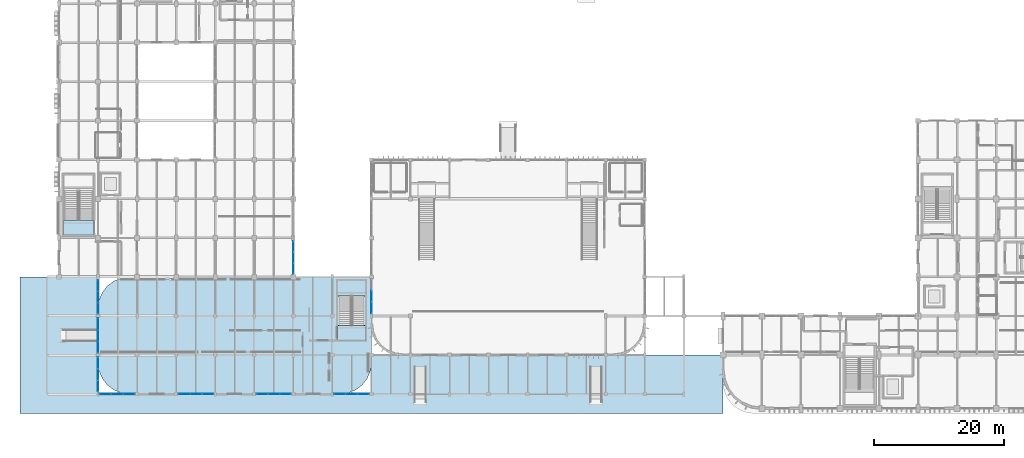
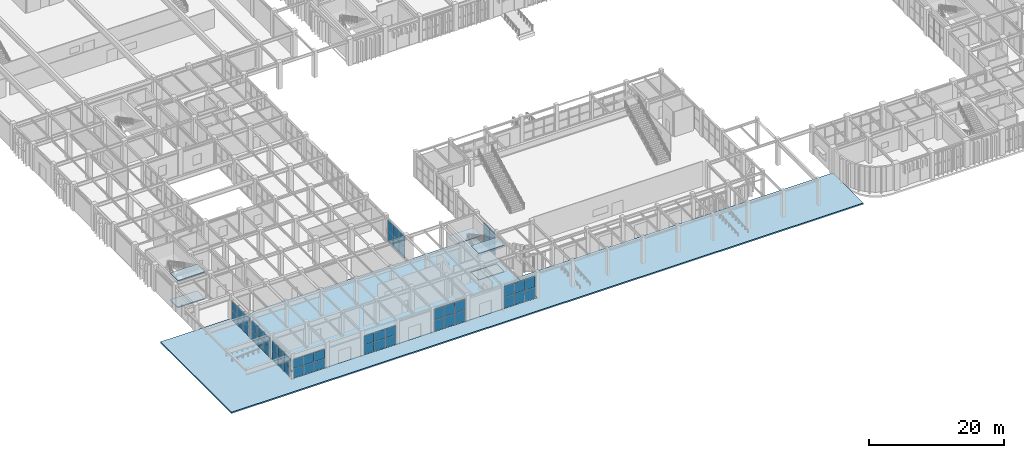
# One storey, part 33 of 76: 52 plates, 7 slabs, 11 elements without a shape of their own.
"""IFC4 building model written with IfcOpenShell, lengths in metres."""

from ifc_helpers import new_model, si_unit, direction, frame, origin, origin_2d, place, context, subcontext, project, spatial, polyline, rectangle, outline, extrude, material, layer, layer_set, type_object, element, aggregate, save


model = new_model("IFC4")

# Units and contexts
model_context = context("Model", 3, precision=1e-05, world=origin(), true_north=direction((0.0, 1.0)))
body_context = subcontext(model_context, "Body", "Model", "MODEL_VIEW")
ifc_project = project(units=[si_unit("LENGTHUNIT", "METRE"), si_unit("AREAUNIT", "SQUARE_METRE"), si_unit("VOLUMEUNIT", "CUBIC_METRE"), si_unit("PLANEANGLEUNIT", "RADIAN"), si_unit("MASSUNIT", "GRAM", prefix="KILO")], contexts=[model_context])

# Site, building, storey
site_placement = place(None, origin())
site = spatial("IfcSite", under=ifc_project, at=site_placement, CompositionType="ELEMENT")
building_placement = place(site_placement, origin())
building = spatial("IfcBuilding", under=site, at=building_placement, Name="Varnakota Square Police Headquarters", CompositionType="ELEMENT")
storey_placement = place(building_placement, origin())
storey = spatial("IfcBuildingStorey", under=building, at=storey_placement, Name="L00", CompositionType="ELEMENT", Elevation=0.0)

# Curtain wall, plates
ifc_material_1 = material(Name="Anodised Aluminium Framing", Category="aluminium")
curtain_wall_type_1 = type_object("IfcCurtainWallType", Name="CW-SYS-A", PredefinedType="NOTDEFINED", material=ifc_material_1)
curtain_wall_1_placement = place(storey_placement, origin())
curtain_wall_1 = element("IfcCurtainWall", 1, at=curtain_wall_1_placement, inside=storey, type_object=curtain_wall_type_1, Name="Unitised curtain wall CWG-L00-035", PredefinedType="NOTDEFINED")
ifc_material_2 = material(Name="Solar-Control Laminated Double Glazing", Category="glass")
ifc_layer_1 = layer(ifc_material_2, 0.028076171875, Name="Solar-Control Laminated Double Glazing")
ifc_layer_set_1 = layer_set([ifc_layer_1], Name="Solar-Control Laminated Double Glazing")
plate_type_1 = type_object("IfcPlateType", Name="CWP-GLZ-28", PredefinedType="CURTAIN_PANEL", material=ifc_layer_set_1)
plate_1_placement = place(storey_placement, frame((13.13623046875, 3.0, 0.06494140625), z_axis=(0.0, 0.0, 1.0), x_axis=(1.0, 0.0, 0.0)))
plate_1 = element("IfcPlate", 2, at=plate_1_placement, type_object=plate_type_1, Name="CWG-L00-035 panel 1.1", PredefinedType="CURTAIN_PANEL", context=body_context, shape_type="SweptSolid", body=[
    extrude(rectangle(XDim=1.732421875, YDim=0.028076171875, at=origin_2d()), origin(), (0.0, 0.0, 1.0), 1.6474609375),
])
plate_2_placement = place(storey_placement, frame((14.949951171875, 3.0, 0.06494140625), z_axis=(0.0, 0.0, 1.0), x_axis=(1.0, 0.0, 0.0)))
plate_2 = element("IfcPlate", 3, at=plate_2_placement, type_object=plate_type_1, Name="CWG-L00-035 panel 2.1", PredefinedType="CURTAIN_PANEL", context=body_context, shape_type="SweptSolid", body=[
    extrude(rectangle(XDim=1.764892578125, YDim=0.028076171875, at=origin_2d()), origin(), (0.0, 0.0, 1.0), 1.6474609375),
])
plate_3_placement = place(storey_placement, frame((16.763671875, 3.0, 0.06494140625), z_axis=(0.0, 0.0, 1.0), x_axis=(1.0, 0.0, 0.0)))
plate_3 = element("IfcPlate", 4, at=plate_3_placement, type_object=plate_type_1, Name="CWG-L00-035 panel 3.1", PredefinedType="CURTAIN_PANEL", context=body_context, shape_type="SweptSolid", body=[
    extrude(rectangle(XDim=1.732421875, YDim=0.028076171875, at=origin_2d()), origin(), (0.0, 0.0, 1.0), 1.6474609375),
])

curtain_wall_2_placement = place(storey_placement, origin())
curtain_wall_2 = element("IfcCurtainWall", 5, at=curtain_wall_2_placement, inside=storey, type_object=curtain_wall_type_1, Name="Unitised curtain wall CWG-L00-039", PredefinedType="NOTDEFINED")
plate_4_placement = place(storey_placement, frame((12.0, 4.26123046875, 0.06494140625), z_axis=(0.0, 0.0, 1.0), x_axis=(0.0, 1.0, 0.0)))
plate_4 = element("IfcPlate", 6, at=plate_4_placement, type_object=plate_type_1, Name="CWG-L00-039 panel 1.1", PredefinedType="CURTAIN_PANEL", context=body_context, shape_type="SweptSolid", body=[
    extrude(rectangle(XDim=1.6826171875, YDim=0.028076171875, at=origin_2d()), origin(), (0.0, 0.0, 1.0), 1.6474609375),
])
plate_5_placement = place(storey_placement, frame((12.0, 6.02490234375, 0.06494140625), z_axis=(0.0, 0.0, 1.0), x_axis=(0.0, 1.0, 0.0)))
plate_5 = element("IfcPlate", 7, at=plate_5_placement, type_object=plate_type_1, Name="CWG-L00-039 panel 2.1", PredefinedType="CURTAIN_PANEL", context=body_context, shape_type="SweptSolid", body=[
    extrude(rectangle(XDim=1.715087890625, YDim=0.028076171875, at=origin_2d()), origin(), (0.0, 0.0, 1.0), 1.6474609375),
])
plate_6_placement = place(storey_placement, frame((12.0, 7.788818359375, 0.06494140625), z_axis=(0.0, 0.0, 1.0), x_axis=(0.0, 1.0, 0.0)))
plate_6 = element("IfcPlate", 8, at=plate_6_placement, type_object=plate_type_1, Name="CWG-L00-039 panel 3.1", PredefinedType="CURTAIN_PANEL", context=body_context, shape_type="SweptSolid", body=[
    extrude(rectangle(XDim=1.6826171875, YDim=0.028076171875, at=origin_2d()), origin(), (0.0, 0.0, 1.0), 1.6474609375),
])

curtain_wall_type_2 = type_object("IfcCurtainWallType", Name="CW-SYS-D", PredefinedType="NOTDEFINED", material=ifc_material_1)
curtain_wall_3_placement = place(storey_placement, origin())
curtain_wall_3 = element("IfcCurtainWall", 9, at=curtain_wall_3_placement, inside=storey, type_object=curtain_wall_type_2, Name="Unitised curtain wall CWG-L00-127", PredefinedType="NOTDEFINED")
plate_7_placement = place(storey_placement, frame((42.0, 22.263671875, 0.074951171875), z_axis=(0.0, 0.0, 1.0), x_axis=(0.0, 1.0, 0.0)))
plate_7 = element("IfcPlate", 10, at=plate_7_placement, type_object=plate_type_1, Name="CWG-L00-127 panel 1.1", PredefinedType="CURTAIN_PANEL", context=body_context, shape_type="SweptSolid", body=[
    extrude(rectangle(XDim=1.617431640625, YDim=0.028076171875, at=origin_2d()), origin(), (0.0, 0.0, 1.0), 1.970703125),
])
plate_8_placement = place(storey_placement, frame((42.0, 23.97509765625, 0.074951171875), z_axis=(0.0, 0.0, 1.0), x_axis=(0.0, 1.0, 0.0)))
plate_8 = element("IfcPlate", 11, at=plate_8_placement, type_object=plate_type_1, Name="CWG-L00-127 panel 2.1", PredefinedType="CURTAIN_PANEL", context=body_context, shape_type="SweptSolid", body=[
    extrude(rectangle(XDim=1.655029296875, YDim=0.028076171875, at=origin_2d()), origin(), (0.0, 0.0, 1.0), 1.970703125),
])
plate_9_placement = place(storey_placement, frame((42.0, 25.686279296875, 0.074951171875), z_axis=(0.0, 0.0, 1.0), x_axis=(0.0, 1.0, 0.0)))
plate_9 = element("IfcPlate", 12, at=plate_9_placement, type_object=plate_type_1, Name="CWG-L00-127 panel 3.1", PredefinedType="CURTAIN_PANEL", context=body_context, shape_type="SweptSolid", body=[
    extrude(rectangle(XDim=1.617431640625, YDim=0.028076171875, at=origin_2d()), origin(), (0.0, 0.0, 1.0), 1.970703125),
])

curtain_wall_4_placement = place(storey_placement, origin())
curtain_wall_4 = element("IfcCurtainWall", 13, at=curtain_wall_4_placement, inside=storey, type_object=curtain_wall_type_1, Name="Unitised curtain wall CWG-L00-008", PredefinedType="NOTDEFINED")
ifc_material_3 = material(Name="Acoustic Laminated Double Glazing", Category="glass")
ifc_layer_2 = layer(ifc_material_3, 0.031982421875, Name="Acoustic Laminated Double Glazing")
ifc_layer_set_2 = layer_set([ifc_layer_2], Name="Acoustic Laminated Double Glazing")
plate_type_2 = type_object("IfcPlateType", Name="CWP-GLZ-32", PredefinedType="CURTAIN_PANEL", material=ifc_layer_set_2)
plate_10_placement = place(storey_placement, frame((54.0, 16.263671875, 0.074951171875), z_axis=(0.0, 0.0, 1.0), x_axis=(0.0, 1.0, 0.0)))
plate_10 = element("IfcPlate", 14, at=plate_10_placement, type_object=plate_type_2, Name="CWG-L00-008 panel 1.1", PredefinedType="CURTAIN_PANEL", context=body_context, shape_type="SweptSolid", body=[
    extrude(rectangle(XDim=1.66748046875, YDim=0.031982421875, at=origin_2d()), origin(), (0.0, 0.0, 1.0), 1.92919921875),
])
plate_11_placement = place(storey_placement, frame((54.0, 18.02490234375, 0.074951171875), z_axis=(0.0, 0.0, 1.0), x_axis=(0.0, 1.0, 0.0)))
plate_11 = element("IfcPlate", 15, at=plate_11_placement, type_object=plate_type_2, Name="CWG-L00-008 panel 2.1", PredefinedType="CURTAIN_PANEL", context=body_context, shape_type="SweptSolid", body=[
    extrude(rectangle(XDim=1.705078125, YDim=0.031982421875, at=origin_2d()), origin(), (0.0, 0.0, 1.0), 1.92919921875),
])

curtain_wall_5_placement = place(storey_placement, origin())
curtain_wall_5 = element("IfcCurtainWall", 16, at=curtain_wall_5_placement, inside=storey, type_object=curtain_wall_type_1, Name="Unitised curtain wall CWG-L00-036", PredefinedType="NOTDEFINED")
plate_12_placement = place(storey_placement, frame((25.236328125, 3.0, 0.06494140625), z_axis=(0.0, 0.0, 1.0), x_axis=(1.0, 0.0, 0.0)))
plate_12 = element("IfcPlate", 17, at=plate_12_placement, type_object=plate_type_2, Name="CWG-L00-036 panel 1.1", PredefinedType="CURTAIN_PANEL", context=body_context, shape_type="SweptSolid", body=[
    extrude(rectangle(XDim=1.732421875, YDim=0.031982421875, at=origin_2d()), origin(), (0.0, 0.0, 1.0), 1.6474609375),
])
plate_13_placement = place(storey_placement, frame((27.050048828125, 3.0, 0.06494140625), z_axis=(0.0, 0.0, 1.0), x_axis=(1.0, 0.0, 0.0)))
plate_13 = element("IfcPlate", 18, at=plate_13_placement, type_object=plate_type_2, Name="CWG-L00-036 panel 2.1", PredefinedType="CURTAIN_PANEL", context=body_context, shape_type="SweptSolid", body=[
    extrude(rectangle(XDim=1.764892578125, YDim=0.031982421875, at=origin_2d()), origin(), (0.0, 0.0, 1.0), 1.6474609375),
])
plate_14_placement = place(storey_placement, frame((28.86376953125, 3.0, 0.06494140625), z_axis=(0.0, 0.0, 1.0), x_axis=(1.0, 0.0, 0.0)))
plate_14 = element("IfcPlate", 19, at=plate_14_placement, type_object=plate_type_2, Name="CWG-L00-036 panel 3.1", PredefinedType="CURTAIN_PANEL", context=body_context, shape_type="SweptSolid", body=[
    extrude(rectangle(XDim=1.732421875, YDim=0.031982421875, at=origin_2d()), origin(), (0.0, 0.0, 1.0), 1.6474609375),
])

curtain_wall_6_placement = place(storey_placement, origin())
curtain_wall_6 = element("IfcCurtainWall", 20, at=curtain_wall_6_placement, inside=storey, type_object=curtain_wall_type_1, Name="Unitised curtain wall CWG-L00-040", PredefinedType="NOTDEFINED")
plate_15_placement = place(storey_placement, frame((12.0, 10.219482421875, 0.06494140625), z_axis=(0.0, 0.0, 1.0), x_axis=(0.0, 1.0, 0.0)))
plate_15 = element("IfcPlate", 21, at=plate_15_placement, type_object=plate_type_2, Name="CWG-L00-040 panel 1.1", PredefinedType="CURTAIN_PANEL", context=body_context, shape_type="SweptSolid", body=[
    extrude(rectangle(XDim=1.69921875, YDim=0.031982421875, at=origin_2d()), origin(), (0.0, 0.0, 1.0), 1.6474609375),
])
plate_16_placement = place(storey_placement, frame((12.0, 12.0, 0.06494140625), z_axis=(0.0, 0.0, 1.0), x_axis=(0.0, 1.0, 0.0)))
plate_16 = element("IfcPlate", 22, at=plate_16_placement, type_object=plate_type_2, Name="CWG-L00-040 panel 2.1", PredefinedType="CURTAIN_PANEL", context=body_context, shape_type="SweptSolid", body=[
    extrude(rectangle(XDim=1.731689453125, YDim=0.031982421875, at=origin_2d()), origin(), (0.0, 0.0, 1.0), 1.6474609375),
])
plate_17_placement = place(storey_placement, frame((12.0, 13.780517578125, 0.06494140625), z_axis=(0.0, 0.0, 1.0), x_axis=(0.0, 1.0, 0.0)))
plate_17 = element("IfcPlate", 23, at=plate_17_placement, type_object=plate_type_2, Name="CWG-L00-040 panel 3.1", PredefinedType="CURTAIN_PANEL", context=body_context, shape_type="SweptSolid", body=[
    extrude(rectangle(XDim=1.69921875, YDim=0.031982421875, at=origin_2d()), origin(), (0.0, 0.0, 1.0), 1.6474609375),
])

curtain_wall_7_placement = place(storey_placement, origin())
curtain_wall_7 = element("IfcCurtainWall", 24, at=curtain_wall_7_placement, inside=storey, type_object=curtain_wall_type_1, Name="Unitised curtain wall CWG-L00-037", PredefinedType="NOTDEFINED")
ifc_material_4 = material(Name="Blast-Resistant Laminated Glazing", Category="glass")
ifc_layer_3 = layer(ifc_material_4, 0.035888671875, Name="Blast-Resistant Laminated Glazing")
ifc_layer_set_3 = layer_set([ifc_layer_3], Name="Blast-Resistant Laminated Glazing")
plate_type_3 = type_object("IfcPlateType", Name="CWP-GLZ-36", PredefinedType="CURTAIN_PANEL", material=ifc_layer_set_3)
plate_18_placement = place(storey_placement, frame((37.22216796875, 3.0, 0.074951171875), z_axis=(0.0, 0.0, 1.0), x_axis=(1.0, 0.0, 0.0)))
plate_18 = element("IfcPlate", 25, at=plate_18_placement, type_object=plate_type_3, Name="CWG-L00-037 panel 1.1", PredefinedType="CURTAIN_PANEL", context=body_context, shape_type="SweptSolid", body=[
    extrude(rectangle(XDim=1.68408203125, YDim=0.035888671875, at=origin_2d()), origin(), (0.0, 0.0, 1.0), 1.95751953125),
])
plate_19_placement = place(storey_placement, frame((39.0, 3.0, 0.074951171875), z_axis=(0.0, 0.0, 1.0), x_axis=(1.0, 0.0, 0.0)))
plate_19 = element("IfcPlate", 26, at=plate_19_placement, type_object=plate_type_3, Name="CWG-L00-037 panel 2.1", PredefinedType="CURTAIN_PANEL", context=body_context, shape_type="SweptSolid", body=[
    extrude(rectangle(XDim=1.7216796875, YDim=0.035888671875, at=origin_2d()), origin(), (0.0, 0.0, 1.0), 1.95751953125),
])
plate_20_placement = place(storey_placement, frame((40.77783203125, 3.0, 0.074951171875), z_axis=(0.0, 0.0, 1.0), x_axis=(1.0, 0.0, 0.0)))
plate_20 = element("IfcPlate", 27, at=plate_20_placement, type_object=plate_type_3, Name="CWG-L00-037 panel 3.1", PredefinedType="CURTAIN_PANEL", context=body_context, shape_type="SweptSolid", body=[
    extrude(rectangle(XDim=1.68408203125, YDim=0.035888671875, at=origin_2d()), origin(), (0.0, 0.0, 1.0), 1.95751953125),
])

curtain_wall_8_placement = place(storey_placement, origin())
curtain_wall_8 = element("IfcCurtainWall", 28, at=curtain_wall_8_placement, inside=storey, type_object=curtain_wall_type_1, Name="Unitised curtain wall CWG-L00-041", PredefinedType="NOTDEFINED")
plate_21_placement = place(storey_placement, frame((12.0, 16.19873046875, 0.06494140625), z_axis=(0.0, 0.0, 1.0), x_axis=(0.0, 1.0, 0.0)))
plate_21 = element("IfcPlate", 29, at=plate_21_placement, type_object=plate_type_3, Name="CWG-L00-041 panel 1.1", PredefinedType="CURTAIN_PANEL", context=body_context, shape_type="SweptSolid", body=[
    extrude(rectangle(XDim=1.657470703125, YDim=0.035888671875, at=origin_2d()), origin(), (0.0, 0.0, 1.0), 1.6474609375),
])
plate_22_placement = place(storey_placement, frame((12.0, 17.9375, 0.06494140625), z_axis=(0.0, 0.0, 1.0), x_axis=(0.0, 1.0, 0.0)))
plate_22 = element("IfcPlate", 30, at=plate_22_placement, type_object=plate_type_3, Name="CWG-L00-041 panel 2.1", PredefinedType="CURTAIN_PANEL", context=body_context, shape_type="SweptSolid", body=[
    extrude(rectangle(XDim=1.68994140625, YDim=0.035888671875, at=origin_2d()), origin(), (0.0, 0.0, 1.0), 1.6474609375),
])
plate_23_placement = place(storey_placement, frame((12.0, 19.67626953125, 0.06494140625), z_axis=(0.0, 0.0, 1.0), x_axis=(0.0, 1.0, 0.0)))
plate_23 = element("IfcPlate", 31, at=plate_23_placement, type_object=plate_type_3, Name="CWG-L00-041 panel 3.1", PredefinedType="CURTAIN_PANEL", context=body_context, shape_type="SweptSolid", body=[
    extrude(rectangle(XDim=1.657470703125, YDim=0.035888671875, at=origin_2d()), origin(), (0.0, 0.0, 1.0), 1.6474609375),
])

curtain_wall_9_placement = place(storey_placement, origin())
curtain_wall_9 = element("IfcCurtainWall", 32, at=curtain_wall_9_placement, inside=storey, type_object=curtain_wall_type_1, Name="Unitised curtain wall CWG-L00-038", PredefinedType="NOTDEFINED")
ifc_material_5 = material(Name="Triple-Glazed Clean-Lab Vision Unit", Category="aluminium")
ifc_layer_4 = layer(ifc_material_5, 0.0419921875, Name="Triple-Glazed Clean-Lab Vision Unit")
ifc_layer_set_4 = layer_set([ifc_layer_4], Name="Triple-Glazed Clean-Lab Vision Unit")
plate_type_4 = type_object("IfcPlateType", Name="CWP-GLZ-42", PredefinedType="CURTAIN_PANEL", material=ifc_layer_set_4)
plate_24_placement = place(storey_placement, frame((49.138671875, 3.0, 0.074951171875), z_axis=(0.0, 0.0, 1.0), x_axis=(1.0, 0.0, 0.0)))
plate_24 = element("IfcPlate", 33, at=plate_24_placement, type_object=plate_type_4, Name="CWG-L00-038 panel 1.1", PredefinedType="CURTAIN_PANEL", context=body_context, shape_type="SweptSolid", body=[
    extrude(rectangle(XDim=1.717529296875, YDim=0.0419921875, at=origin_2d()), origin(), (0.0, 0.0, 1.0), 1.9326171875),
])
plate_25_placement = place(storey_placement, frame((50.949951171875, 3.0, 0.074951171875), z_axis=(0.0, 0.0, 1.0), x_axis=(1.0, 0.0, 0.0)))
plate_25 = element("IfcPlate", 34, at=plate_25_placement, type_object=plate_type_4, Name="CWG-L00-038 panel 2.1", PredefinedType="CURTAIN_PANEL", context=body_context, shape_type="SweptSolid", body=[
    extrude(rectangle(XDim=1.7548828125, YDim=0.0419921875, at=origin_2d()), origin(), (0.0, 0.0, 1.0), 1.9326171875),
])
plate_26_placement = place(storey_placement, frame((52.76123046875, 3.0, 0.074951171875), z_axis=(0.0, 0.0, 1.0), x_axis=(1.0, 0.0, 0.0)))
plate_26 = element("IfcPlate", 35, at=plate_26_placement, type_object=plate_type_4, Name="CWG-L00-038 panel 3.1", PredefinedType="CURTAIN_PANEL", context=body_context, shape_type="SweptSolid", body=[
    extrude(rectangle(XDim=1.717529296875, YDim=0.0419921875, at=origin_2d()), origin(), (0.0, 0.0, 1.0), 1.9326171875),
])

# Plate
ifc_material_6 = material(Name="Insulated Anodised Aluminium Spandrel Panel", Category="aluminium")
ifc_layer_5 = layer(ifc_material_6, 0.050048828125, Name="Insulated Anodised Aluminium Spandrel Panel")
ifc_layer_set_5 = layer_set([ifc_layer_5], Name="Insulated Anodised Aluminium Spandrel Panel")
plate_type_5 = type_object("IfcPlateType", Name="CWP-SPN-50", PredefinedType="CURTAIN_PANEL", material=ifc_layer_set_5)
plate_27_placement = place(storey_placement, frame((13.13623046875, 3.0, 1.777587890625), z_axis=(0.0, 0.0, 1.0), x_axis=(1.0, 0.0, 0.0)))
plate_27 = element("IfcPlate", 36, at=plate_27_placement, type_object=plate_type_5, Name="CWG-L00-035 panel 1.2", PredefinedType="CURTAIN_PANEL", context=body_context, shape_type="SweptSolid", body=[
    extrude(rectangle(XDim=1.732421875, YDim=0.050048828125, at=origin_2d()), origin(), (0.0, 0.0, 1.0), 1.6474609375),
])

plate_28_placement = place(storey_placement, frame((14.949951171875, 3.0, 1.777587890625), z_axis=(0.0, 0.0, 1.0), x_axis=(1.0, 0.0, 0.0)))
plate_28 = element("IfcPlate", 37, at=plate_28_placement, type_object=plate_type_5, Name="CWG-L00-035 panel 2.2", PredefinedType="CURTAIN_PANEL", context=body_context, shape_type="SweptSolid", body=[
    extrude(rectangle(XDim=1.764892578125, YDim=0.050048828125, at=origin_2d()), origin(), (0.0, 0.0, 1.0), 1.6474609375),
])

plate_29_placement = place(storey_placement, frame((16.763671875, 3.0, 1.777587890625), z_axis=(0.0, 0.0, 1.0), x_axis=(1.0, 0.0, 0.0)))
plate_29 = element("IfcPlate", 38, at=plate_29_placement, type_object=plate_type_5, Name="CWG-L00-035 panel 3.2", PredefinedType="CURTAIN_PANEL", context=body_context, shape_type="SweptSolid", body=[
    extrude(rectangle(XDim=1.732421875, YDim=0.050048828125, at=origin_2d()), origin(), (0.0, 0.0, 1.0), 1.6474609375),
])

aggregate(curtain_wall_1, [plate_1, plate_27, plate_2, plate_28, plate_3, plate_29])

plate_30_placement = place(storey_placement, frame((37.22216796875, 3.0, 2.107421875), z_axis=(0.0, 0.0, 1.0), x_axis=(1.0, 0.0, 0.0)))
plate_30 = element("IfcPlate", 39, at=plate_30_placement, type_object=plate_type_5, Name="CWG-L00-037 panel 1.2", PredefinedType="CURTAIN_PANEL", context=body_context, shape_type="SweptSolid", body=[
    extrude(rectangle(XDim=1.68408203125, YDim=0.050048828125, at=origin_2d()), origin(), (0.0, 0.0, 1.0), 1.95751953125),
])

plate_31_placement = place(storey_placement, frame((39.0, 3.0, 2.107421875), z_axis=(0.0, 0.0, 1.0), x_axis=(1.0, 0.0, 0.0)))
plate_31 = element("IfcPlate", 40, at=plate_31_placement, type_object=plate_type_5, Name="CWG-L00-037 panel 2.2", PredefinedType="CURTAIN_PANEL", context=body_context, shape_type="SweptSolid", body=[
    extrude(rectangle(XDim=1.7216796875, YDim=0.050048828125, at=origin_2d()), origin(), (0.0, 0.0, 1.0), 1.95751953125),
])

plate_32_placement = place(storey_placement, frame((40.77783203125, 3.0, 2.107421875), z_axis=(0.0, 0.0, 1.0), x_axis=(1.0, 0.0, 0.0)))
plate_32 = element("IfcPlate", 41, at=plate_32_placement, type_object=plate_type_5, Name="CWG-L00-037 panel 3.2", PredefinedType="CURTAIN_PANEL", context=body_context, shape_type="SweptSolid", body=[
    extrude(rectangle(XDim=1.68408203125, YDim=0.050048828125, at=origin_2d()), origin(), (0.0, 0.0, 1.0), 1.95751953125),
])

aggregate(curtain_wall_7, [plate_18, plate_30, plate_19, plate_31, plate_20, plate_32])

plate_33_placement = place(storey_placement, frame((12.0, 4.26123046875, 1.777587890625), z_axis=(0.0, 0.0, 1.0), x_axis=(0.0, 1.0, 0.0)))
plate_33 = element("IfcPlate", 42, at=plate_33_placement, type_object=plate_type_5, Name="CWG-L00-039 panel 1.2", PredefinedType="CURTAIN_PANEL", context=body_context, shape_type="SweptSolid", body=[
    extrude(rectangle(XDim=1.6826171875, YDim=0.050048828125, at=origin_2d()), origin(), (0.0, 0.0, 1.0), 1.6474609375),
])

plate_34_placement = place(storey_placement, frame((12.0, 6.02490234375, 1.777587890625), z_axis=(0.0, 0.0, 1.0), x_axis=(0.0, 1.0, 0.0)))
plate_34 = element("IfcPlate", 43, at=plate_34_placement, type_object=plate_type_5, Name="CWG-L00-039 panel 2.2", PredefinedType="CURTAIN_PANEL", context=body_context, shape_type="SweptSolid", body=[
    extrude(rectangle(XDim=1.715087890625, YDim=0.050048828125, at=origin_2d()), origin(), (0.0, 0.0, 1.0), 1.6474609375),
])

plate_35_placement = place(storey_placement, frame((12.0, 7.788818359375, 1.777587890625), z_axis=(0.0, 0.0, 1.0), x_axis=(0.0, 1.0, 0.0)))
plate_35 = element("IfcPlate", 44, at=plate_35_placement, type_object=plate_type_5, Name="CWG-L00-039 panel 3.2", PredefinedType="CURTAIN_PANEL", context=body_context, shape_type="SweptSolid", body=[
    extrude(rectangle(XDim=1.6826171875, YDim=0.050048828125, at=origin_2d()), origin(), (0.0, 0.0, 1.0), 1.6474609375),
])

aggregate(curtain_wall_2, [plate_4, plate_33, plate_5, plate_34, plate_6, plate_35])

plate_36_placement = place(storey_placement, frame((12.0, 16.19873046875, 1.777587890625), z_axis=(0.0, 0.0, 1.0), x_axis=(0.0, 1.0, 0.0)))
plate_36 = element("IfcPlate", 45, at=plate_36_placement, type_object=plate_type_5, Name="CWG-L00-041 panel 1.2", PredefinedType="CURTAIN_PANEL", context=body_context, shape_type="SweptSolid", body=[
    extrude(rectangle(XDim=1.657470703125, YDim=0.050048828125, at=origin_2d()), origin(), (0.0, 0.0, 1.0), 1.6474609375),
])

plate_37_placement = place(storey_placement, frame((12.0, 17.9375, 1.777587890625), z_axis=(0.0, 0.0, 1.0), x_axis=(0.0, 1.0, 0.0)))
plate_37 = element("IfcPlate", 46, at=plate_37_placement, type_object=plate_type_5, Name="CWG-L00-041 panel 2.2", PredefinedType="CURTAIN_PANEL", context=body_context, shape_type="SweptSolid", body=[
    extrude(rectangle(XDim=1.68994140625, YDim=0.050048828125, at=origin_2d()), origin(), (0.0, 0.0, 1.0), 1.6474609375),
])

plate_38_placement = place(storey_placement, frame((12.0, 19.67626953125, 1.777587890625), z_axis=(0.0, 0.0, 1.0), x_axis=(0.0, 1.0, 0.0)))
plate_38 = element("IfcPlate", 47, at=plate_38_placement, type_object=plate_type_5, Name="CWG-L00-041 panel 3.2", PredefinedType="CURTAIN_PANEL", context=body_context, shape_type="SweptSolid", body=[
    extrude(rectangle(XDim=1.657470703125, YDim=0.050048828125, at=origin_2d()), origin(), (0.0, 0.0, 1.0), 1.6474609375),
])

aggregate(curtain_wall_8, [plate_21, plate_36, plate_22, plate_37, plate_23, plate_38])

plate_39_placement = place(storey_placement, frame((42.0, 22.263671875, 2.12060546875), z_axis=(0.0, 0.0, 1.0), x_axis=(0.0, 1.0, 0.0)))
plate_39 = element("IfcPlate", 48, at=plate_39_placement, type_object=plate_type_5, Name="CWG-L00-127 panel 1.2", PredefinedType="CURTAIN_PANEL", context=body_context, shape_type="SweptSolid", body=[
    extrude(rectangle(XDim=1.617431640625, YDim=0.050048828125, at=origin_2d()), origin(), (0.0, 0.0, 1.0), 1.970458984375),
])

plate_40_placement = place(storey_placement, frame((42.0, 23.97509765625, 2.12060546875), z_axis=(0.0, 0.0, 1.0), x_axis=(0.0, 1.0, 0.0)))
plate_40 = element("IfcPlate", 49, at=plate_40_placement, type_object=plate_type_5, Name="CWG-L00-127 panel 2.2", PredefinedType="CURTAIN_PANEL", context=body_context, shape_type="SweptSolid", body=[
    extrude(rectangle(XDim=1.655029296875, YDim=0.050048828125, at=origin_2d()), origin(), (0.0, 0.0, 1.0), 1.970458984375),
])

plate_41_placement = place(storey_placement, frame((42.0, 25.686279296875, 2.12060546875), z_axis=(0.0, 0.0, 1.0), x_axis=(0.0, 1.0, 0.0)))
plate_41 = element("IfcPlate", 50, at=plate_41_placement, type_object=plate_type_5, Name="CWG-L00-127 panel 3.2", PredefinedType="CURTAIN_PANEL", context=body_context, shape_type="SweptSolid", body=[
    extrude(rectangle(XDim=1.617431640625, YDim=0.050048828125, at=origin_2d()), origin(), (0.0, 0.0, 1.0), 1.970458984375),
])

aggregate(curtain_wall_3, [plate_7, plate_39, plate_8, plate_40, plate_9, plate_41])

ifc_material_7 = material(Name="Fire-Stopped Mineral-Wool Spandrel Panel", Category="aluminium")
ifc_layer_6 = layer(ifc_material_7, 0.06005859375, Name="Fire-Stopped Mineral-Wool Spandrel Panel")
ifc_layer_set_6 = layer_set([ifc_layer_6], Name="Fire-Stopped Mineral-Wool Spandrel Panel")
plate_type_6 = type_object("IfcPlateType", Name="CWP-SPN-60", PredefinedType="CURTAIN_PANEL", material=ifc_layer_set_6)
plate_42_placement = place(storey_placement, frame((54.0, 16.263671875, 2.079345703125), z_axis=(0.0, 0.0, 1.0), x_axis=(0.0, 1.0, 0.0)))
plate_42 = element("IfcPlate", 51, at=plate_42_placement, type_object=plate_type_6, Name="CWG-L00-008 panel 1.2", PredefinedType="CURTAIN_PANEL", context=body_context, shape_type="SweptSolid", body=[
    extrude(rectangle(XDim=1.66748046875, YDim=0.06005859375, at=origin_2d()), origin(), (0.0, 0.0, 1.0), 1.92919921875),
])

plate_43_placement = place(storey_placement, frame((54.0, 18.02490234375, 2.079345703125), z_axis=(0.0, 0.0, 1.0), x_axis=(0.0, 1.0, 0.0)))
plate_43 = element("IfcPlate", 52, at=plate_43_placement, type_object=plate_type_6, Name="CWG-L00-008 panel 2.2", PredefinedType="CURTAIN_PANEL", context=body_context, shape_type="SweptSolid", body=[
    extrude(rectangle(XDim=1.705078125, YDim=0.06005859375, at=origin_2d()), origin(), (0.0, 0.0, 1.0), 1.92919921875),
])

aggregate(curtain_wall_4, [plate_10, plate_42, plate_11, plate_43])

plate_44_placement = place(storey_placement, frame((25.236328125, 3.0, 1.777587890625), z_axis=(0.0, 0.0, 1.0), x_axis=(1.0, 0.0, 0.0)))
plate_44 = element("IfcPlate", 53, at=plate_44_placement, type_object=plate_type_6, Name="CWG-L00-036 panel 1.2", PredefinedType="CURTAIN_PANEL", context=body_context, shape_type="SweptSolid", body=[
    extrude(rectangle(XDim=1.732421875, YDim=0.06005859375, at=origin_2d()), origin(), (0.0, 0.0, 1.0), 1.6474609375),
])

plate_45_placement = place(storey_placement, frame((27.050048828125, 3.0, 1.777587890625), z_axis=(0.0, 0.0, 1.0), x_axis=(1.0, 0.0, 0.0)))
plate_45 = element("IfcPlate", 54, at=plate_45_placement, type_object=plate_type_6, Name="CWG-L00-036 panel 2.2", PredefinedType="CURTAIN_PANEL", context=body_context, shape_type="SweptSolid", body=[
    extrude(rectangle(XDim=1.764892578125, YDim=0.06005859375, at=origin_2d()), origin(), (0.0, 0.0, 1.0), 1.6474609375),
])

plate_46_placement = place(storey_placement, frame((28.86376953125, 3.0, 1.777587890625), z_axis=(0.0, 0.0, 1.0), x_axis=(1.0, 0.0, 0.0)))
plate_46 = element("IfcPlate", 55, at=plate_46_placement, type_object=plate_type_6, Name="CWG-L00-036 panel 3.2", PredefinedType="CURTAIN_PANEL", context=body_context, shape_type="SweptSolid", body=[
    extrude(rectangle(XDim=1.732421875, YDim=0.06005859375, at=origin_2d()), origin(), (0.0, 0.0, 1.0), 1.6474609375),
])

aggregate(curtain_wall_5, [plate_12, plate_44, plate_13, plate_45, plate_14, plate_46])

plate_47_placement = place(storey_placement, frame((49.138671875, 3.0, 2.08251953125), z_axis=(0.0, 0.0, 1.0), x_axis=(1.0, 0.0, 0.0)))
plate_47 = element("IfcPlate", 56, at=plate_47_placement, type_object=plate_type_6, Name="CWG-L00-038 panel 1.2", PredefinedType="CURTAIN_PANEL", context=body_context, shape_type="SweptSolid", body=[
    extrude(rectangle(XDim=1.717529296875, YDim=0.06005859375, at=origin_2d()), origin(), (0.0, 0.0, 1.0), 1.9326171875),
])

plate_48_placement = place(storey_placement, frame((50.949951171875, 3.0, 2.08251953125), z_axis=(0.0, 0.0, 1.0), x_axis=(1.0, 0.0, 0.0)))
plate_48 = element("IfcPlate", 57, at=plate_48_placement, type_object=plate_type_6, Name="CWG-L00-038 panel 2.2", PredefinedType="CURTAIN_PANEL", context=body_context, shape_type="SweptSolid", body=[
    extrude(rectangle(XDim=1.7548828125, YDim=0.06005859375, at=origin_2d()), origin(), (0.0, 0.0, 1.0), 1.9326171875),
])

plate_49_placement = place(storey_placement, frame((52.76123046875, 3.0, 2.08251953125), z_axis=(0.0, 0.0, 1.0), x_axis=(1.0, 0.0, 0.0)))
plate_49 = element("IfcPlate", 58, at=plate_49_placement, type_object=plate_type_6, Name="CWG-L00-038 panel 3.2", PredefinedType="CURTAIN_PANEL", context=body_context, shape_type="SweptSolid", body=[
    extrude(rectangle(XDim=1.717529296875, YDim=0.06005859375, at=origin_2d()), origin(), (0.0, 0.0, 1.0), 1.9326171875),
])

aggregate(curtain_wall_9, [plate_24, plate_47, plate_25, plate_48, plate_26, plate_49])

plate_50_placement = place(storey_placement, frame((12.0, 10.219482421875, 1.777587890625), z_axis=(0.0, 0.0, 1.0), x_axis=(0.0, 1.0, 0.0)))
plate_50 = element("IfcPlate", 59, at=plate_50_placement, type_object=plate_type_6, Name="CWG-L00-040 panel 1.2", PredefinedType="CURTAIN_PANEL", context=body_context, shape_type="SweptSolid", body=[
    extrude(rectangle(XDim=1.69921875, YDim=0.06005859375, at=origin_2d()), origin(), (0.0, 0.0, 1.0), 1.6474609375),
])

plate_51_placement = place(storey_placement, frame((12.0, 12.0, 1.777587890625), z_axis=(0.0, 0.0, 1.0), x_axis=(0.0, 1.0, 0.0)))
plate_51 = element("IfcPlate", 60, at=plate_51_placement, type_object=plate_type_6, Name="CWG-L00-040 panel 2.2", PredefinedType="CURTAIN_PANEL", context=body_context, shape_type="SweptSolid", body=[
    extrude(rectangle(XDim=1.731689453125, YDim=0.06005859375, at=origin_2d()), origin(), (0.0, 0.0, 1.0), 1.6474609375),
])

plate_52_placement = place(storey_placement, frame((12.0, 13.780517578125, 1.777587890625), z_axis=(0.0, 0.0, 1.0), x_axis=(0.0, 1.0, 0.0)))
plate_52 = element("IfcPlate", 61, at=plate_52_placement, type_object=plate_type_6, Name="CWG-L00-040 panel 3.2", PredefinedType="CURTAIN_PANEL", context=body_context, shape_type="SweptSolid", body=[
    extrude(rectangle(XDim=1.69921875, YDim=0.06005859375, at=origin_2d()), origin(), (0.0, 0.0, 1.0), 1.6474609375),
])

aggregate(curtain_wall_6, [plate_15, plate_50, plate_16, plate_51, plate_17, plate_52])

# Slabs
ifc_material_8 = material(Name="Concrete M40", Category="concrete")
ifc_layer_7 = layer(ifc_material_8, 0.239990234375, Name="Concrete M40")
ifc_layer_set_7 = layer_set([ifc_layer_7], Name="Concrete M40")
slab_type_1 = type_object("IfcSlabType", Name="SL-ARC-240", PredefinedType="FLOOR", material=ifc_layer_set_7)
slab_1_placement = place(storey_placement, frame((0.0, 0.0, -0.239990234375)))
element("IfcSlab", 62, at=slab_1_placement, inside=storey, type_object=slab_type_1, Name="L00 Square Colonnade Deck", PredefinedType="FLOOR", context=body_context, shape_type="SweptSolid", body=[
    extrude(outline(polyline([(0.0, 0.0), (108.0, 0.0), (108.0, 9.0), (54.0, 9.0), (54.0, 3.0), (12.0, 3.0), (12.0, 21.0), (0.0, 21.0), (0.0, 0.0)])), origin(), (0.0, 0.0, 1.0), 0.239990234375),
])
ifc_layer_8 = layer(ifc_material_8, 0.25, Name="Concrete M40")
ifc_layer_set_8 = layer_set([ifc_layer_8], Name="Concrete M40")
slab_type_2 = type_object("IfcSlabType", Name="SL-POD-250", PredefinedType="FLOOR", material=ifc_layer_set_8)
slab_2_placement = place(storey_placement, frame((0.0, 0.0, -0.25)))
element("IfcSlab", 63, at=slab_2_placement, inside=storey, type_object=slab_type_2, Name="L00 Public Front Wing Slab", PredefinedType="FLOOR", context=body_context, shape_type="SweptSolid", body=[
    extrude(outline(polyline([(12.0, 7.800048828125), (12.16357421875, 6.5576171875), (12.64306640625, 5.39990234375), (13.406005859375, 4.406005859375), (14.39990234375, 3.64306640625), (15.5576171875, 3.16357421875), (16.800048828125, 3.0), (49.199951171875, 3.0), (50.4423828125, 3.16357421875), (51.60009765625, 3.64306640625), (52.593994140625, 4.406005859375), (53.35693359375, 5.39990234375), (53.83642578125, 6.5576171875), (54.0, 7.800048828125), (54.0, 21.0), (16.800048828125, 21.0), (15.5576171875, 20.83642578125), (14.39990234375, 20.35693359375), (13.406005859375, 19.593994140625), (12.64306640625, 18.60009765625), (12.16357421875, 17.4423828125), (12.0, 16.199951171875), (12.0, 7.800048828125)]), holes=[polyline([(48.7548828125, 11.2548828125), (53.14501953125, 11.2548828125), (53.14501953125, 13.554931640625), (48.7548828125, 13.554931640625), (48.7548828125, 11.2548828125)])]), origin(), (0.0, 0.0, 1.0), 0.25),
])

# Stair, slabs
stair_type_1 = type_object("IfcStairType", Name="STR-DOG-1850", PredefinedType="USERDEFINED", material=ifc_material_8)
stair_1_placement = place(storey_placement, origin())
stair_1 = element("IfcStair", 64, at=stair_1_placement, inside=storey, type_object=stair_type_1, Name="Protected exit stair ST10 (L00)", ObjectType="TWO_RETURN_STAIR", PredefinedType="USERDEFINED")
ifc_layer_9 = layer(ifc_material_8, 0.157958984375, Name="Concrete M40")
ifc_layer_set_9 = layer_set([ifc_layer_9], Name="Concrete M40")
slab_type_3 = type_object("IfcSlabType", Name="SLB-LND-1850", PredefinedType="LANDING", material=ifc_layer_set_9)
slab_3_placement = place(storey_placement, frame((0.0, 0.0, 2.241943359375)))
slab_3 = element("IfcSlab", 65, at=slab_3_placement, type_object=slab_type_3, Name="ST10-L00 landing 1", PredefinedType="LANDING", context=body_context, shape_type="SweptSolid", body=[
    extrude(outline(polyline([(48.760009765625, 18.05078125), (53.139892578125, 18.05078125), (53.139892578125, 20.43994140625), (48.760009765625, 20.43994140625), (48.760009765625, 18.05078125)])), origin(), (0.0, 0.0, 1.0), 0.157958984375),
])
slab_4_placement = place(storey_placement, frame((0.0, 0.0, 4.64208984375)))
slab_4 = element("IfcSlab", 66, at=slab_4_placement, type_object=slab_type_3, Name="ST10-L00 landing 2", PredefinedType="LANDING", context=body_context, shape_type="SweptSolid", body=[
    extrude(outline(polyline([(48.760009765625, 11.260009765625), (53.139892578125, 11.260009765625), (53.139892578125, 13.550048828125), (48.760009765625, 13.550048828125), (48.760009765625, 11.260009765625)])), origin(), (0.0, 0.0, 1.0), 0.157958984375),
])
slab_5_placement = place(storey_placement, frame((0.0, 0.0, -0.157958984375)))
slab_5 = element("IfcSlab", 67, at=slab_5_placement, type_object=slab_type_3, Name="ST10-L00 landing 3", PredefinedType="LANDING", context=body_context, shape_type="SweptSolid", body=[
    extrude(outline(polyline([(48.760009765625, 11.260009765625), (53.139892578125, 11.260009765625), (53.139892578125, 13.550048828125), (48.760009765625, 13.550048828125), (48.760009765625, 11.260009765625)])), origin(), (0.0, 0.0, 1.0), 0.157958984375),
])
aggregate(stair_1, [slab_3, slab_4, slab_5])

stair_type_2 = type_object("IfcStairType", Name="STR-DOG-2000", PredefinedType="USERDEFINED", material=ifc_material_8)
stair_2_placement = place(storey_placement, origin())
stair_2 = element("IfcStair", 68, at=stair_2_placement, inside=storey, type_object=stair_type_2, Name="Protected exit stair ST4 (L00)", ObjectType="TWO_RETURN_STAIR", PredefinedType="USERDEFINED")
ifc_layer_10 = layer(ifc_material_8, 0.166015625, Name="Concrete M40")
ifc_layer_set_10 = layer_set([ifc_layer_10], Name="Concrete M40")
slab_type_4 = type_object("IfcSlabType", Name="SLB-LND-2000", PredefinedType="LANDING", material=ifc_layer_set_10)
slab_6_placement = place(storey_placement, frame((0.0, 0.0, 4.634033203125)))
slab_6 = element("IfcSlab", 69, at=slab_6_placement, type_object=slab_type_4, Name="ST4-L00 landing 2", PredefinedType="LANDING", context=body_context, shape_type="SweptSolid", body=[
    extrude(outline(polyline([(6.659912109375, 27.4599609375), (11.340087890625, 27.4599609375), (11.340087890625, 29.75), (6.659912109375, 29.75), (6.659912109375, 27.4599609375)])), origin(), (0.0, 0.0, 1.0), 0.166015625),
])
slab_7_placement = place(storey_placement, frame((0.0, 0.0, -0.166015625)))
slab_7 = element("IfcSlab", 70, at=slab_7_placement, type_object=slab_type_4, Name="ST4-L00 landing 3", PredefinedType="LANDING", context=body_context, shape_type="SweptSolid", body=[
    extrude(outline(polyline([(6.659912109375, 27.4599609375), (11.340087890625, 27.4599609375), (11.340087890625, 29.75), (6.659912109375, 29.75), (6.659912109375, 27.4599609375)])), origin(), (0.0, 0.0, 1.0), 0.166015625),
])
aggregate(stair_2, [slab_6, slab_7])

save(model, "model.ifc")
